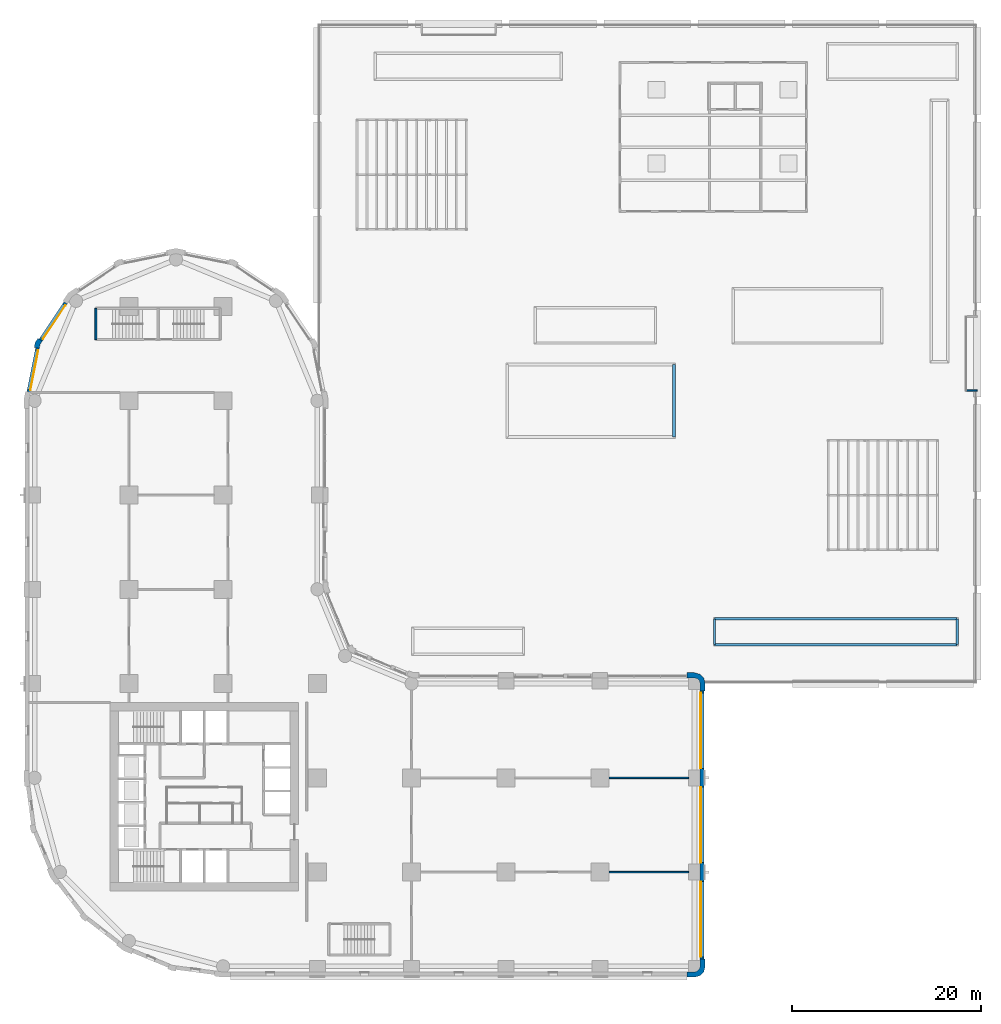
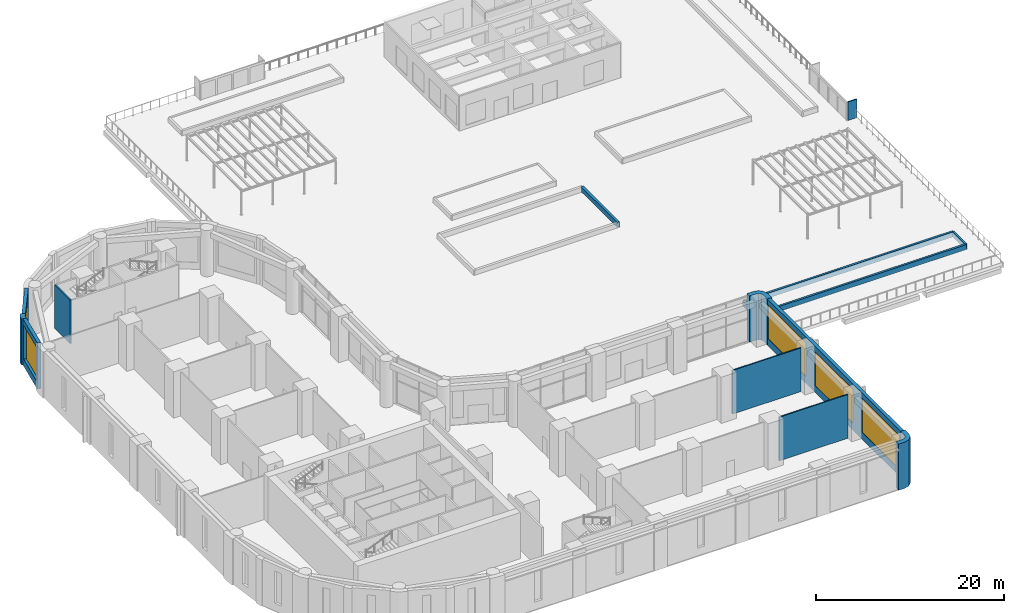
# One storey, part 17 of 28: 15 walls, 5 windows, 5 openings.
"""IFC4 building model written with IfcOpenShell, lengths in metres."""

from ifc_helpers import new_model, si_unit, direction, frame, frame_2d, origin, place, context, subcontext, project, spatial, polyline, rectangle, outline, extrude, material, layer, layer_set, type_object, element, fill, save


model = new_model("IFC4")

# Units and contexts
model_context = context("Model", 3, precision=1e-05, world=origin(), true_north=direction((0.0, 1.0)))
body_context = subcontext(model_context, "Body", "Model", "MODEL_VIEW")
ifc_project = project(units=[si_unit("LENGTHUNIT", "METRE"), si_unit("AREAUNIT", "SQUARE_METRE"), si_unit("VOLUMEUNIT", "CUBIC_METRE"), si_unit("PLANEANGLEUNIT", "RADIAN"), si_unit("MASSUNIT", "GRAM", prefix="KILO")], contexts=[model_context])

# Site, building, storey
site_placement = place(None, origin())
site = spatial("IfcSite", under=ifc_project, at=site_placement, CompositionType="ELEMENT")
building_placement = place(site_placement, origin())
building = spatial("IfcBuilding", under=site, at=building_placement, Name="Qaws Garden Tower", CompositionType="ELEMENT")
storey_placement = place(building_placement, frame((0.0, 0.0, 6.0)))
storey = spatial("IfcBuildingStorey", under=building, at=storey_placement, Name="L01", CompositionType="ELEMENT", Elevation=6.0)

# Walls
ifc_material_1 = material(Name="Concrete C80", Category="concrete")
ifc_layer_1 = layer(ifc_material_1, 0.199951171875)
ifc_layer_set_1 = layer_set([ifc_layer_1], Name="Concrete C80")
wall_type_1 = type_object("IfcWallType", Name="Core shaft wall 200 C80", PredefinedType="SHEAR", material=ifc_layer_set_1)
wall_1_placement = place(storey_placement, frame((6.5, 66.5, 0.0), z_axis=(0.0, 0.0, 1.0), x_axis=(0.0, 1.0, 0.0)))
element("IfcWall", 1, at=wall_1_placement, inside=storey, type_object=wall_type_1, Name="Shaft wall", PredefinedType="SHEAR", context=body_context, shape_type="SweptSolid", body=[
    extrude(rectangle(XDim=3.300048828125, YDim=0.199951171875, at=frame_2d((1.64990234375, 0.0))), origin(), (0.0, 0.0, 1.0), 5.679931640625),
])
ifc_material_2 = material(Name="Steel S355 and clear glass", Category="steel")
ifc_layer_2 = layer(ifc_material_2, 0.14990234375)
ifc_layer_set_2 = layer_set([ifc_layer_2], Name="Steel S355 and clear glass")
wall_type_2 = type_object("IfcWallType", Name="Garden gate screen 150", PredefinedType="STANDARD", material=ifc_layer_set_2)
wall_2_placement = place(storey_placement, frame((98.875, 61.074951171875, 0.0), z_axis=(0.0, 0.0, 1.0), x_axis=(1.0, 0.0, 0.0)))
element("IfcWall", 2, at=wall_2_placement, inside=storey, type_object=wall_type_2, Name="Garden gate screen return", PredefinedType="STANDARD", context=body_context, shape_type="SweptSolid", body=[
    extrude(rectangle(XDim=1.125, YDim=0.14990234375, at=frame_2d((0.5625, 0.0))), origin(), (0.0, 0.0, 1.0), 2.39990234375),
])
ifc_material_3 = material(Name="Concrete C40", Category="concrete")
ifc_layer_3 = layer(ifc_material_3, 0.25)
ifc_layer_set_3 = layer_set([ifc_layer_3], Name="Concrete C40")
wall_type_3 = type_object("IfcWallType", Name="PLANTER kerb 250", PredefinedType="STANDARD", material=ifc_layer_set_3)
wall_3_placement = place(storey_placement, frame((72.125, 34.125, -0.0400390625), z_axis=(0.0, 0.0, 1.0), x_axis=(1.0, 0.0, 0.0)))
element("IfcWall", 3, at=wall_3_placement, inside=storey, type_object=wall_type_3, Name="PLANTER 05 kerb", PredefinedType="STANDARD", context=body_context, shape_type="SweptSolid", body=[
    extrude(rectangle(XDim=25.75, YDim=0.25, at=frame_2d((12.875, 0.0))), origin(), (0.0, 0.0, 1.0), 0.650146484375),
])
wall_4_placement = place(storey_placement, frame((97.875, 34.125, -0.0400390625), z_axis=(0.0, 0.0, 1.0), x_axis=(0.0, 1.0, 0.0)))
element("IfcWall", 4, at=wall_4_placement, inside=storey, type_object=wall_type_3, Name="PLANTER 05 kerb", PredefinedType="STANDARD", context=body_context, shape_type="SweptSolid", body=[
    extrude(rectangle(XDim=2.75, YDim=0.25, at=frame_2d((1.375, 0.0))), origin(), (0.0, 0.0, 1.0), 0.650146484375),
])
wall_5_placement = place(storey_placement, frame((97.875, 36.875, -0.0400390625), z_axis=(0.0, 0.0, 1.0), x_axis=(-1.0, 0.0, 0.0)))
element("IfcWall", 5, at=wall_5_placement, inside=storey, type_object=wall_type_3, Name="PLANTER 05 kerb", PredefinedType="STANDARD", context=body_context, shape_type="SweptSolid", body=[
    extrude(rectangle(XDim=25.75, YDim=0.25, at=frame_2d((12.875, 0.0))), origin(), (0.0, 0.0, 1.0), 0.650146484375),
])
wall_6_placement = place(storey_placement, frame((72.125, 36.875, -0.0400390625), z_axis=(0.0, 0.0, 1.0), x_axis=(0.0, -1.0, 0.0)))
element("IfcWall", 6, at=wall_6_placement, inside=storey, type_object=wall_type_3, Name="PLANTER 05 kerb", PredefinedType="STANDARD", context=body_context, shape_type="SweptSolid", body=[
    extrude(rectangle(XDim=2.75, YDim=0.25, at=frame_2d((1.375, 0.0))), origin(), (0.0, 0.0, 1.0), 0.650146484375),
])
ifc_material_4 = material(Name="Gypsum board on steel S235 stud", Category="steel")
ifc_layer_4 = layer(ifc_material_4, 0.14990234375)
ifc_layer_set_4 = layer_set([ifc_layer_4], Name="Gypsum board on steel S235 stud")
wall_type_4 = type_object("IfcWallType", Name="Partition 150", PredefinedType="PARTITIONING", material=ifc_layer_set_4)
for number, where, z_axis, x_axis, name in (
    (7, (60.949951171875, 10.0, 0.0), (0.0, 0.0, 1.0), (1.0, 0.0, 0.0), "Kitchen wall"),
    (8, (60.949951171875, 20.0, 0.0), (0.0, 0.0, 1.0), (1.0, 0.0, 0.0), "Dining partition"),
):
    element("IfcWall", number, at=place(storey_placement, frame(where, z_axis=z_axis, x_axis=x_axis)), inside=storey, type_object=wall_type_4, Name=name, PredefinedType="PARTITIONING", context=body_context, shape_type="SweptSolid", body=[
        extrude(rectangle(XDim=8.449951171875, YDim=0.14990234375, at=frame_2d((4.22509765625, 0.0))), origin(), (0.0, 0.0, 1.0), 5.679931640625),
    ])
ifc_material_5 = material(Name="Limestone ashlar masonry", Category="masonry")
ifc_layer_5 = layer(ifc_material_5, 0.550048828125)
ifc_layer_set_5 = layer_set([ifc_layer_5], Name="Limestone ashlar masonry")
wall_type_5 = type_object("IfcWallType", Name="Stone corner pier 550 x 2400", PredefinedType="SOLIDWALL", material=ifc_layer_set_5)
placement = place(storey_placement, origin())
element("IfcWall", 9, at=placement, inside=storey, type_object=wall_type_5, Name="E-L01-pier-05", PredefinedType="SOLIDWALL", context=body_context, shape_type="SweptSolid", body=[
    extrude(outline(polyline([(69.199951171875, -1.0), (69.199951171875, -1.14990234375), (70.0, -1.14990234375), (70.574951171875, -0.995849609375), (70.995849609375, -0.574951171875), (71.14990234375, 0.0), (71.14990234375, 0.800048828125), (71.0, 0.800048828125), (70.60009765625, 0.800048828125), (70.60009765625, 0.0), (70.51953125, -0.300048828125), (70.300048828125, -0.51953125), (70.0, -0.60009765625), (69.199951171875, -0.60009765625), (69.199951171875, -1.0)])), origin(), (0.0, 0.0, 1.0), 6.0),
])
element("IfcWall", 10, at=placement, inside=storey, type_object=wall_type_5, Name="E-L01-pier-08", PredefinedType="SOLIDWALL", context=body_context, shape_type="SweptSolid", body=[
    extrude(outline(polyline([(71.0, 29.199951171875), (71.14990234375, 29.199951171875), (71.14990234375, 30.0), (70.995849609375, 30.574951171875), (70.574951171875, 30.995849609375), (70.0, 31.14990234375), (69.199951171875, 31.14990234375), (69.199951171875, 31.0), (69.199951171875, 30.60009765625), (70.0, 30.60009765625), (70.300048828125, 30.51953125), (70.51953125, 30.300048828125), (70.60009765625, 30.0), (70.60009765625, 29.199951171875), (71.0, 29.199951171875)])), origin(), (0.0, 0.0, 1.0), 6.0),
])

# Wall, openings, windows
ifc_material_6 = material(Name="Limestone ashlar masonry", Category="masonry")
ifc_layer_6 = layer(ifc_material_6, 0.39990234375)
ifc_layer_set_6 = layer_set([ifc_layer_6], Name="Limestone ashlar masonry")
wall_type_6 = type_object("IfcWallType", Name="Stone infill wall 400", PredefinedType="SOLIDWALL", material=ifc_layer_set_6)
wall_9_placement = place(storey_placement, frame((70.800048828125, 0.800048828125, 0.0), z_axis=(0.0, 0.0, 1.0), x_axis=(0.0, 1.0, 0.0)))
wall_9 = element("IfcWall", 11, at=wall_9_placement, inside=storey, type_object=wall_type_6, Name="E-L01-infill-05", PredefinedType="SOLIDWALL", context=body_context, shape_type="SweptSolid", body=[
    extrude(rectangle(XDim=28.39990234375, YDim=0.39990234375, at=frame_2d((14.199951171875, 0.0))), origin(), (0.0, 0.0, 1.0), 6.0),
])
opening_1_placement = place(wall_9_placement, frame((0.199951171875, 0.0, 0.89990234375)))
opening_1 = element("IfcOpeningElement", 12, at=opening_1_placement, cuts=wall_9, Name="Opening W03", PredefinedType="OPENING", context=body_context, shape_type="SweptSolid", body=[
    extrude(rectangle(XDim=8.0, YDim=4.39990234375, at=frame_2d((4.0, 2.199951171875))), frame((0.0, 0.2099609375, 0.0), z_axis=(0.0, -1.0, 0.0), x_axis=(1.0, 0.0, 0.0)), (0.0, 0.0, 1.0), 0.419921875),
])
opening_2_placement = place(wall_9_placement, frame((10.199951171875, 0.0, 0.89990234375)))
opening_2 = element("IfcOpeningElement", 13, at=opening_2_placement, cuts=wall_9, Name="Opening W03", PredefinedType="OPENING", context=body_context, shape_type="SweptSolid", body=[
    extrude(rectangle(XDim=8.0, YDim=4.39990234375, at=frame_2d((4.0, 2.199951171875))), frame((0.0, 0.2099609375, 0.0), z_axis=(0.0, -1.0, 0.0), x_axis=(1.0, 0.0, 0.0)), (0.0, 0.0, 1.0), 0.419921875),
])
opening_3_placement = place(wall_9_placement, frame((20.199951171875, 0.0, 0.89990234375)))
opening_3 = element("IfcOpeningElement", 14, at=opening_3_placement, cuts=wall_9, Name="Opening W03", PredefinedType="OPENING", context=body_context, shape_type="SweptSolid", body=[
    extrude(rectangle(XDim=8.0, YDim=4.39990234375, at=frame_2d((4.0, 2.199951171875))), frame((0.0, 0.2099609375, 0.0), z_axis=(0.0, -1.0, 0.0), x_axis=(1.0, 0.0, 0.0)), (0.0, 0.0, 1.0), 0.419921875),
])
ifc_material_7 = material(Name="Aluminium framed window, clear glazing", Category="aluminium")
window_type_1 = type_object("IfcWindowType", Name="Ribbon window 8000 x 4400", PartitioningType="DOUBLE_PANEL_VERTICAL", PredefinedType="WINDOW", material=ifc_material_7)
window_1_placement = place(opening_1_placement, origin())
window_1 = element("IfcWindow", 15, at=window_1_placement, inside=storey, type_object=window_type_1, Name="E-L01-window-05-0", OverallHeight=4.39990234375, OverallWidth=8.0, PartitioningType="SINGLE_PANEL", PredefinedType="WINDOW", context=body_context, shape_type="SweptSolid", body=[
    extrude(rectangle(XDim=8.0, YDim=4.39990234375, at=frame_2d((4.0, 2.199951171875))), frame((0.0, 0.159912109375, 0.0), z_axis=(0.0, -1.0, 0.0), x_axis=(1.0, 0.0, 0.0)), (0.0, 0.0, 1.0), 0.06005859375),
])
fill(opening_1, window_1)
window_2_placement = place(opening_2_placement, origin())
window_2 = element("IfcWindow", 16, at=window_2_placement, inside=storey, type_object=window_type_1, Name="E-L01-window-06-0", OverallHeight=4.39990234375, OverallWidth=8.0, PartitioningType="SINGLE_PANEL", PredefinedType="WINDOW", context=body_context, shape_type="SweptSolid", body=[
    extrude(rectangle(XDim=8.0, YDim=4.39990234375, at=frame_2d((4.0, 2.199951171875))), frame((0.0, 0.159912109375, 0.0), z_axis=(0.0, -1.0, 0.0), x_axis=(1.0, 0.0, 0.0)), (0.0, 0.0, 1.0), 0.06005859375),
])
fill(opening_2, window_2)
window_3_placement = place(opening_3_placement, origin())
window_3 = element("IfcWindow", 17, at=window_3_placement, inside=storey, type_object=window_type_1, Name="E-L01-window-07-0", OverallHeight=4.39990234375, OverallWidth=8.0, PartitioningType="SINGLE_PANEL", PredefinedType="WINDOW", context=body_context, shape_type="SweptSolid", body=[
    extrude(rectangle(XDim=8.0, YDim=4.39990234375, at=frame_2d((4.0, 2.199951171875))), frame((0.0, 0.159912109375, 0.0), z_axis=(0.0, -1.0, 0.0), x_axis=(1.0, 0.0, 0.0)), (0.0, 0.0, 1.0), 0.06005859375),
])
fill(opening_3, window_3)

# Wall, opening, window
wall_10_placement = place(storey_placement, frame((3.28369140625, 70.385986328125, 0.0), z_axis=(0.0, 0.0, 1.0), x_axis=(-0.555541552266, -0.831488775454, 0.0)))
wall_10 = element("IfcWall", 18, at=wall_10_placement, inside=storey, type_object=wall_type_6, Name="E-L01-infill-21", PredefinedType="SOLIDWALL", context=body_context, shape_type="SweptSolid", body=[
    extrude(rectangle(XDim=4.752685546875, YDim=0.39990234375, at=frame_2d((2.37646484375, 0.0))), origin(), (0.0, 0.0, 1.0), 6.0),
])
opening_4_placement = place(wall_10_placement, frame((0.226318359375, 0.0, 0.89990234375)))
opening_4 = element("IfcOpeningElement", 19, at=opening_4_placement, cuts=wall_10, Name="Opening W08", PredefinedType="OPENING", context=body_context, shape_type="SweptSolid", body=[
    extrude(rectangle(XDim=4.300048828125, YDim=4.39990234375, at=frame_2d((2.14990234375, 2.199951171875))), frame((0.0, 0.2099609375, 0.0), z_axis=(0.0, -1.0, 0.0), x_axis=(1.0, 0.0, 0.0)), (0.0, 0.0, 1.0), 0.419921875),
])
ifc_material_8 = material(Name="Aluminium framed window, clear glazing", Category="aluminium")
window_type_2 = type_object("IfcWindowType", Name="Ribbon window 4300 x 4400", PartitioningType="DOUBLE_PANEL_VERTICAL", PredefinedType="WINDOW", material=ifc_material_8)
window_4_placement = place(opening_4_placement, origin())
window_4 = element("IfcWindow", 20, at=window_4_placement, inside=storey, type_object=window_type_2, Name="E-L01-window-21-0", OverallHeight=4.39990234375, OverallWidth=4.300048828125, PartitioningType="SINGLE_PANEL", PredefinedType="WINDOW", context=body_context, shape_type="SweptSolid", body=[
    extrude(rectangle(XDim=4.300048828125, YDim=4.39990234375, at=frame_2d((2.14990234375, 2.199951171875))), frame((0.0, 0.159912109375, 0.0), z_axis=(0.0, -1.0, 0.0), x_axis=(1.0, 0.0, 0.0)), (0.0, 0.0, 1.0), 0.06005859375),
])
fill(opening_4, window_4)

wall_11_placement = place(storey_placement, frame((0.298583984375, 65.60205078125, 0.0), z_axis=(0.0, 0.0, 1.0), x_axis=(-0.195098533057, -0.98078364709, 0.0)))
wall_11 = element("IfcWall", 21, at=wall_11_placement, inside=storey, type_object=wall_type_6, Name="E-L01-infill-22", PredefinedType="SOLIDWALL", context=body_context, shape_type="SweptSolid", body=[
    extrude(rectangle(XDim=4.752685546875, YDim=0.39990234375, at=frame_2d((2.37646484375, 0.0))), origin(), (0.0, 0.0, 1.0), 6.0),
])
opening_5_placement = place(wall_11_placement, frame((0.226318359375, 0.0, 0.89990234375)))
opening_5 = element("IfcOpeningElement", 22, at=opening_5_placement, cuts=wall_11, Name="Opening W08", PredefinedType="OPENING", context=body_context, shape_type="SweptSolid", body=[
    extrude(rectangle(XDim=4.300048828125, YDim=4.39990234375, at=frame_2d((2.14990234375, 2.199951171875))), frame((0.0, 0.2099609375, 0.0), z_axis=(0.0, -1.0, 0.0), x_axis=(1.0, 0.0, 0.0)), (0.0, 0.0, 1.0), 0.419921875),
])
window_5_placement = place(opening_5_placement, origin())
window_5 = element("IfcWindow", 23, at=window_5_placement, inside=storey, type_object=window_type_2, Name="E-L01-window-22-0", OverallHeight=4.39990234375, OverallWidth=4.300048828125, PartitioningType="SINGLE_PANEL", PredefinedType="WINDOW", context=body_context, shape_type="SweptSolid", body=[
    extrude(rectangle(XDim=4.300048828125, YDim=4.39990234375, at=frame_2d((2.14990234375, 2.199951171875))), frame((0.0, 0.159912109375, 0.0), z_axis=(0.0, -1.0, 0.0), x_axis=(1.0, 0.0, 0.0)), (0.0, 0.0, 1.0), 0.06005859375),
])
fill(opening_5, window_5)

# Walls
ifc_material_9 = material(Name="Limestone ashlar masonry", Category="masonry")
ifc_layer_7 = layer(ifc_material_9, 0.550048828125)
ifc_layer_set_7 = layer_set([ifc_layer_7], Name="Limestone ashlar masonry")
wall_type_7 = type_object("IfcWallType", Name="Stone kink pier 550 x 600", PredefinedType="SOLIDWALL", material=ifc_layer_set_7)
element("IfcWall", 24, at=placement, inside=storey, type_object=wall_type_7, Name="E-L01-pier-22", PredefinedType="SOLIDWALL", context=body_context, shape_type="SweptSolid", body=[
    extrude(outline(polyline([(0.47705078125, 66.545166015625), (0.352294921875, 66.628662109375), (0.05859375, 66.18896484375), (-0.044677734375, 65.67041015625), (0.1025390625, 65.64111328125), (0.494873046875, 65.56298828125), (0.57666015625, 65.974365234375), (0.8095703125, 66.322998046875), (0.47705078125, 66.545166015625)])), origin(), (0.0, 0.0, 1.0), 6.0),
])
ifc_material_10 = material(Name="Concrete C40", Category="concrete")
ifc_layer_8 = layer(ifc_material_10, 0.300048828125)
ifc_layer_set_8 = layer_set([ifc_layer_8], Name="Concrete C40")
wall_type_8 = type_object("IfcWallType", Name="Water feature wall 300", PredefinedType="SOLIDWALL", material=ifc_layer_set_8)
wall_13_placement = place(storey_placement, frame((67.85009765625, 56.14990234375, -0.0400390625), z_axis=(0.0, 0.0, 1.0), x_axis=(0.0, 1.0, 0.0)))
element("IfcWall", 25, at=wall_13_placement, inside=storey, type_object=wall_type_8, Name="Water feature wall", PredefinedType="SOLIDWALL", context=body_context, shape_type="SweptSolid", body=[
    extrude(rectangle(XDim=7.7001953125, YDim=0.300048828125, at=frame_2d((3.85009765625, 0.0))), origin(), (0.0, 0.0, 1.0), 0.64013671875),
])

save(model, "model.ifc")
